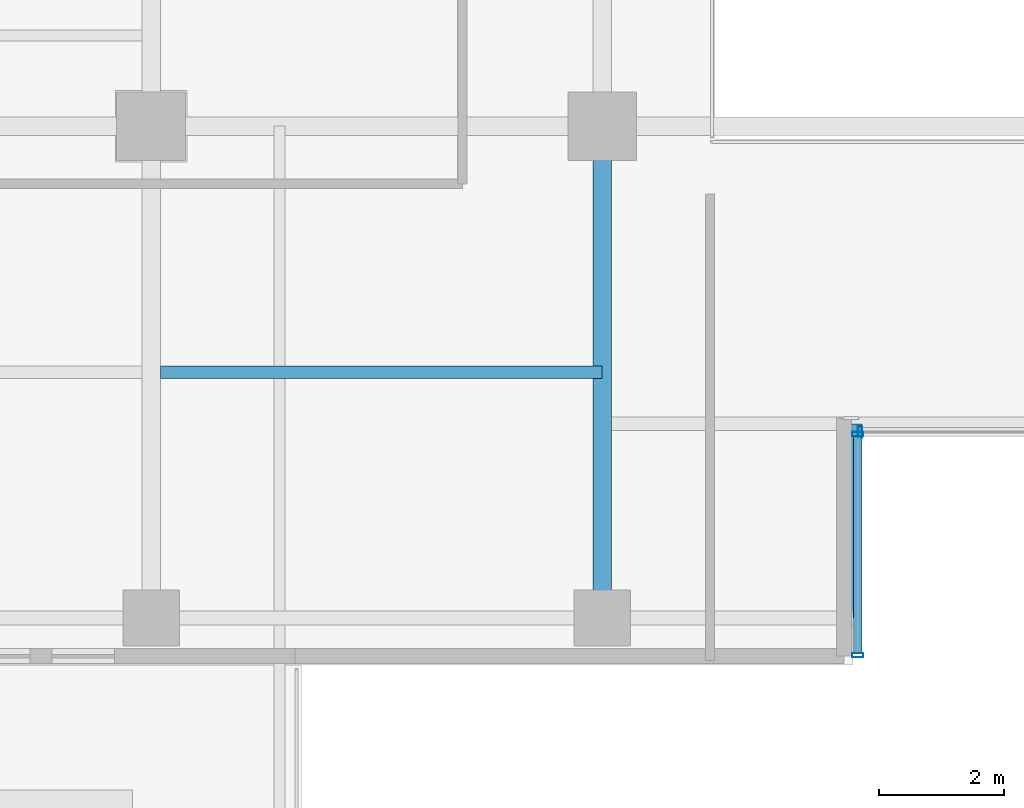
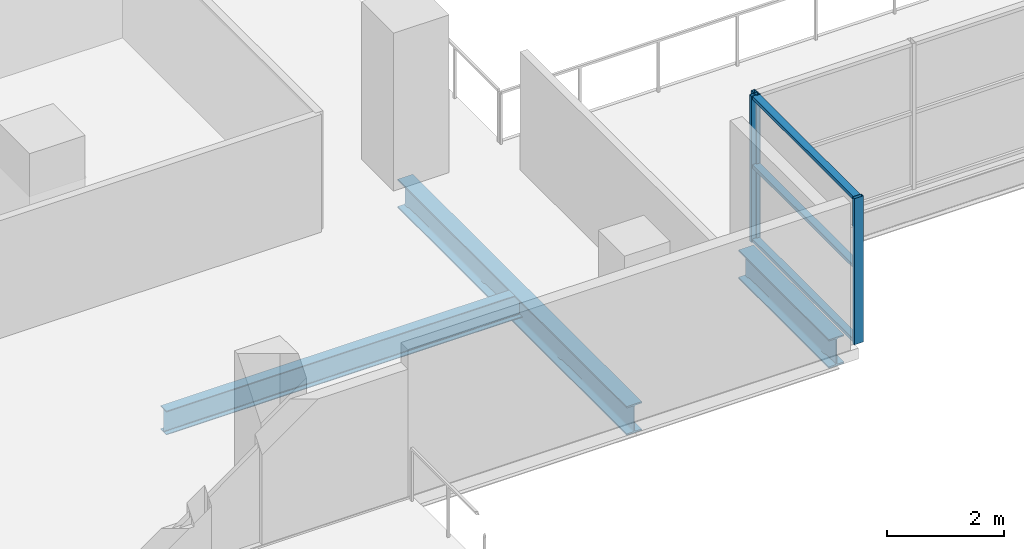
# One storey, part 3 of 30: 6 members, 3 beams, 2 elements without a shape of their own.
"""IFC4 building model written with IfcOpenShell, lengths in metres."""

from ifc_helpers import new_model, si_unit, direction, frame, origin, origin_2d, place, context, subcontext, project, spatial, hollow_rectangle, i_section, extrude, source, transform, mapped, material, layer, layer_set, material_profile, profile_set, type_object, element, aggregate, save


model = new_model("IFC4")

# Units and contexts
model_context = context("Model", 3, precision=1e-05, world=origin(), true_north=direction((0.0, 1.0)))
body_context = subcontext(model_context, "Body", "Model", "MODEL_VIEW")
ifc_project = project(units=[si_unit("LENGTHUNIT", "METRE"), si_unit("AREAUNIT", "SQUARE_METRE"), si_unit("VOLUMEUNIT", "CUBIC_METRE"), si_unit("PLANEANGLEUNIT", "RADIAN"), si_unit("MASSUNIT", "GRAM", prefix="KILO")], contexts=[model_context])

# Site, building, storey
site_placement = place(None, origin())
site = spatial("IfcSite", under=ifc_project, at=site_placement, CompositionType="ELEMENT")
building_placement = place(site_placement, origin())
building = spatial("IfcBuilding", under=site, at=building_placement, Name="Zarnakvel Exchange Tower", CompositionType="ELEMENT")
storey_placement = place(building_placement, frame((0.0, 0.0, 34.0)))
storey = spatial("IfcBuildingStorey", under=building, at=storey_placement, Name="L08", CompositionType="ELEMENT", Elevation=34.0)

# Beams
ifc_material_1 = material(Name="Steel S355", Category="steel")
ifc_material_profile_1 = material_profile(ifc_material_1, i_section(OverallWidth=0.199951171875, OverallDepth=0.5, WebThickness=0.01025390625, FlangeThickness=0.01611328125, FilletRadius=0.02099609375, at=origin_2d()))
ifc_profile_set_1 = profile_set([ifc_material_profile_1], Name="Steel S355")
beam_type_1 = type_object("IfcBeamType", Name="B-04", PredefinedType="JOIST", material=ifc_profile_set_1)
beam_1_placement = place(storey_placement, frame((-14.25, -13.52490234375, -0.47509765625), z_axis=(1.0, 0.0, 0.0), x_axis=(0.0, 1.0, 0.0)))
element("IfcBeam", 1, at=beam_1_placement, inside=storey, type_object=beam_type_1, Name="L08 Composite Floor Secondary Joist", PredefinedType="JOIST", context=body_context, shape_type="SweptSolid", body=[
    extrude(i_section(OverallWidth=0.199951171875, OverallDepth=0.5, WebThickness=0.01025390625, FlangeThickness=0.01611328125, FilletRadius=0.02099609375, at=origin_2d()), origin(), (0.0, 0.0, 1.0), 7.050048828125),
])
ifc_material_profile_2 = material_profile(ifc_material_1, i_section(OverallWidth=0.300048828125, OverallDepth=0.60009765625, WebThickness=0.015380859375, FlangeThickness=0.030029296875, FilletRadius=0.027099609375, at=origin_2d()))
ifc_profile_set_2 = profile_set([ifc_material_profile_2], Name="Steel S355")
beam_type_2 = type_object("IfcBeamType", Name="G-04", PredefinedType="BEAM", material=ifc_profile_set_2)
beam_2_placement = place(storey_placement, frame((-3.199951171875, -17.449951171875, -0.52490234375), z_axis=(0.0, 1.0, 0.0), x_axis=(-1.0, 0.0, 0.0)))
element("IfcBeam", 2, at=beam_2_placement, inside=storey, type_object=beam_type_2, Name="L08 South Slot West Cheek Beam", PredefinedType="BEAM", context=body_context, shape_type="SweptSolid", body=[
    extrude(i_section(OverallWidth=0.300048828125, OverallDepth=0.60009765625, WebThickness=0.015380859375, FlangeThickness=0.030029296875, FilletRadius=0.027099609375, at=origin_2d()), origin(), (0.0, 0.0, 1.0), 3.099853515625),
])
beam_3_placement = place(storey_placement, frame((-7.199951171875, -17.449951171875, -0.52490234375), z_axis=(0.0, 1.0, 0.0), x_axis=(-1.0, 0.0, 0.0)))
element("IfcBeam", 3, at=beam_3_placement, inside=storey, type_object=beam_type_2, Name="L08 Tower N-S Frame Beam", PredefinedType="BEAM", context=body_context, shape_type="SweptSolid", body=[
    extrude(i_section(OverallWidth=0.300048828125, OverallDepth=0.60009765625, WebThickness=0.015380859375, FlangeThickness=0.030029296875, FilletRadius=0.027099609375, at=origin_2d()), origin(), (0.0, 0.0, 1.0), 7.849853515625),
])

# Curtain wall, members
ifc_material_2 = material(Name="Architectural Bronze Anodised Aluminium", Category="aluminium")
ifc_layer = layer(ifc_material_2, 0.179931640625)
ifc_layer_set = layer_set([ifc_layer], Name="Architectural Bronze Anodised Aluminium")
curtain_wall_type = type_object("IfcCurtainWallType", Name="CW-05", PredefinedType="NOTDEFINED", material=ifc_layer_set)
curtain_wall_1_placement = place(storey_placement, origin())
curtain_wall_1 = element("IfcCurtainWall", 4, at=curtain_wall_1_placement, inside=storey, type_object=curtain_wall_type, Name="L08 Curtain Wall CW-L08-SLW (CW-05)", PredefinedType="NOTDEFINED")
ifc_material_profile_3 = material_profile(ifc_material_2, hollow_rectangle(XDim=0.139892578125, YDim=0.070068359375, WallThickness=0.00390625, at=origin_2d()))
ifc_profile_set_3 = profile_set([ifc_material_profile_3], Name="Architectural Bronze Anodised Aluminium")
member_type_1 = type_object("IfcMemberType", Name="CWT-05", PredefinedType="USERDEFINED", material=ifc_profile_set_3)
shared_shape_1 = source(origin(), body_context, "Body", "SweptSolid", [
    extrude(hollow_rectangle(XDim=0.139892578125, YDim=0.070068359375, WallThickness=0.00390625, at=origin_2d()), origin(), (0.0, 0.0, 1.0), 3.4599609375),
])
member_1_placement = place(storey_placement, frame((-3.1201171875, -18.010009765625, 0.034912109375), z_axis=(0.0, 1.0, 0.0), x_axis=(-1.0, 0.0, 0.0)))
member_1 = element("IfcMember", 5, at=member_1_placement, type_object=member_type_1, Name="CW-05 transom 1.1", ObjectType="TRANSOM", PredefinedType="USERDEFINED", context=body_context, shape_type="MappedRepresentation", body=[
    mapped(shared_shape_1, transform((0.0, 0.0, 0.0), x_axis=(1.0, 0.0, 0.0), y_axis=(0.0, 1.0, 0.0), z_axis=(0.0, 0.0, 1.0), scale=1.0)),
])
member_2_placement = place(storey_placement, frame((-3.1201171875, -18.010009765625, 1.588623046875), z_axis=(0.0, 1.0, 0.0), x_axis=(-1.0, 0.0, 0.0)))
member_2 = element("IfcMember", 6, at=member_2_placement, type_object=member_type_1, Name="CW-05 transom 1.2", ObjectType="TRANSOM", PredefinedType="USERDEFINED", context=body_context, shape_type="MappedRepresentation", body=[
    mapped(shared_shape_1, transform((0.0, 0.0, 0.0), x_axis=(1.0, 0.0, 0.0), y_axis=(0.0, 1.0, 0.0), z_axis=(0.0, 0.0, 1.0), scale=1.0)),
])
member_3_placement = place(storey_placement, frame((-3.1201171875, -18.010009765625, 3.02001953125), z_axis=(0.0, 1.0, 0.0), x_axis=(-1.0, 0.0, 0.0)))
member_3 = element("IfcMember", 7, at=member_3_placement, type_object=member_type_1, Name="CW-05 transom 1.3", ObjectType="TRANSOM", PredefinedType="USERDEFINED", context=body_context, shape_type="MappedRepresentation", body=[
    mapped(shared_shape_1, transform((0.0, 0.0, 0.0), x_axis=(1.0, 0.0, 0.0), y_axis=(0.0, 1.0, 0.0), z_axis=(0.0, 0.0, 1.0), scale=1.0)),
])
ifc_material_profile_4 = material_profile(ifc_material_2, hollow_rectangle(XDim=0.179931640625, YDim=0.070068359375, WallThickness=0.00390625, at=origin_2d()))
ifc_profile_set_4 = profile_set([ifc_material_profile_4], Name="Architectural Bronze Anodised Aluminium")
member_type_2 = type_object("IfcMemberType", Name="CWM-05", PredefinedType="MULLION", material=ifc_profile_set_4)
shared_shape_2 = source(origin(), body_context, "Body", "SweptSolid", [
    extrude(hollow_rectangle(XDim=0.179931640625, YDim=0.070068359375, WallThickness=0.00390625, at=origin_2d()), origin(), (0.0, 0.0, 1.0), 3.054931640625),
])
member_4_placement = place(storey_placement, frame((-3.1201171875, -18.044921875, 0.0), z_axis=(0.0, 0.0, 1.0), x_axis=(-1.0, 0.0, 0.0)))
member_4 = element("IfcMember", 8, at=member_4_placement, type_object=member_type_2, Name="CW-05 mullion 1", PredefinedType="MULLION", context=body_context, shape_type="MappedRepresentation", body=[
    mapped(shared_shape_2, transform((0.0, 0.0, 0.0), x_axis=(1.0, 0.0, 0.0), y_axis=(0.0, 1.0, 0.0), z_axis=(0.0, 0.0, 1.0), scale=1.0)),
])
member_5_placement = place(storey_placement, frame((-3.1201171875, -14.514892578125, 0.0), z_axis=(0.0, 0.0, 1.0), x_axis=(-1.0, 0.0, 0.0)))
member_5 = element("IfcMember", 9, at=member_5_placement, type_object=member_type_2, Name="CW-05 mullion 2", PredefinedType="MULLION", context=body_context, shape_type="MappedRepresentation", body=[
    mapped(shared_shape_2, transform((0.0, 0.0, 0.0), x_axis=(1.0, 0.0, 0.0), y_axis=(0.0, 1.0, 0.0), z_axis=(0.0, 0.0, 1.0), scale=1.0)),
])
aggregate(curtain_wall_1, [member_4, member_5, member_1, member_2, member_3])

# Curtain wall, member
curtain_wall_2_placement = place(storey_placement, origin())
curtain_wall_2 = element("IfcCurtainWall", 10, at=curtain_wall_2_placement, inside=storey, type_object=curtain_wall_type, Name="L08 Curtain Wall CW-L08-SLB (CW-05)", PredefinedType="NOTDEFINED")
member_6_placement = place(storey_placement, frame((-3.0849609375, -14.47998046875, 0.0), z_axis=(0.0, 0.0, 1.0), x_axis=(0.0, 1.0, 0.0)))
member_6 = element("IfcMember", 11, at=member_6_placement, type_object=member_type_2, Name="CW-05 mullion 1", PredefinedType="MULLION", context=body_context, shape_type="MappedRepresentation", body=[
    mapped(shared_shape_2, transform((0.0, 0.0, 0.0), x_axis=(1.0, 0.0, 0.0), y_axis=(0.0, 1.0, 0.0), z_axis=(0.0, 0.0, 1.0), scale=1.0)),
])
aggregate(curtain_wall_2, [member_6])

save(model, "model.ifc")
